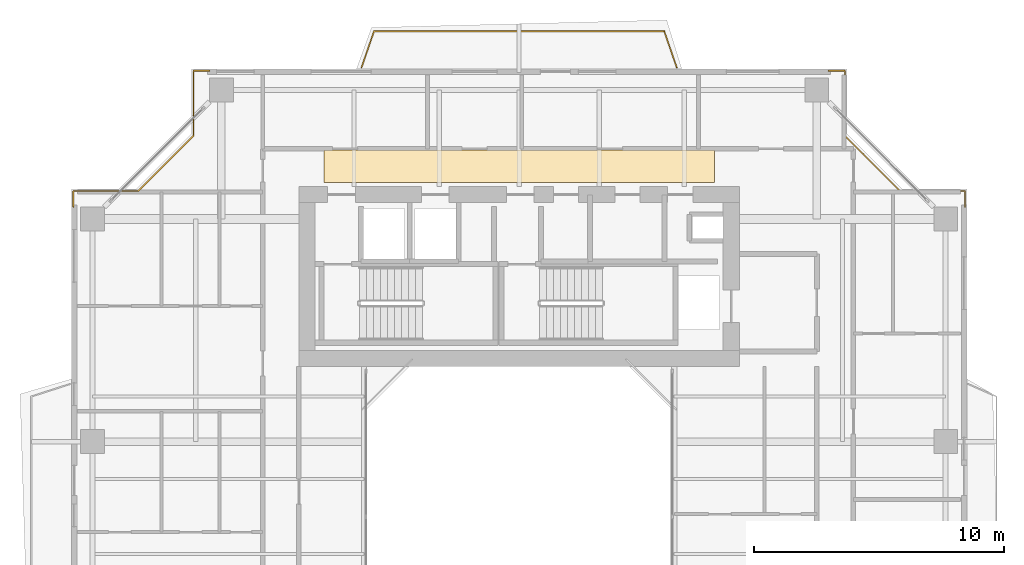
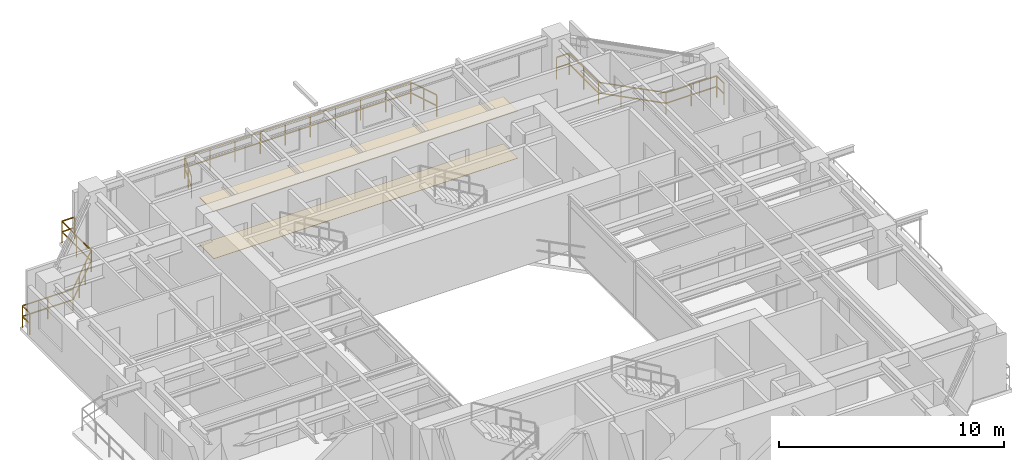
# One storey, part 18 of 18: 3 railings, 2 coverings.
"""IFC4 building model written with IfcOpenShell, lengths in metres."""

from ifc_helpers import new_model, si_unit, direction, frame, origin, origin_2d, place, context, subcontext, project, spatial, polyline, rectangle, outline, extrude, material, layer, layer_set, type_object, element, save


model = new_model("IFC4")

# Units and contexts
model_context = context("Model", 3, precision=1e-05, world=origin(), true_north=direction((0.0, 1.0)))
body_context = subcontext(model_context, "Body", "Model", "MODEL_VIEW")
ifc_project = project(units=[si_unit("LENGTHUNIT", "METRE"), si_unit("AREAUNIT", "SQUARE_METRE"), si_unit("VOLUMEUNIT", "CUBIC_METRE"), si_unit("PLANEANGLEUNIT", "RADIAN"), si_unit("MASSUNIT", "GRAM", prefix="KILO"), si_unit("THERMODYNAMICTEMPERATUREUNIT", "KELVIN"), si_unit("POWERUNIT", "WATT")], contexts=[model_context])

# Site, building, storey
site_placement = place(None, origin())
site = spatial("IfcSite", under=ifc_project, at=site_placement, CompositionType="ELEMENT")
building_placement = place(site_placement, origin())
building = spatial("IfcBuilding", under=site, at=building_placement, Name="Qiaomeng Ring Towers", CompositionType="ELEMENT")
storey_placement = place(building_placement, frame((0.0, 0.0, 147.0)))
storey = spatial("IfcBuildingStorey", under=building, at=storey_placement, Name="L42", CompositionType="ELEMENT", Elevation=147.0)

# Coverings
ifc_material_1 = material(Name="Mineral fibre acoustic ceiling tile", Category="gypsum")
ifc_layer_1 = layer(ifc_material_1, 0.02490234375, Name="Mineral fibre acoustic ceiling tile")
ifc_layer_set_1 = layer_set([ifc_layer_1], Name="Mineral fibre acoustic ceiling tile")
covering_type_1 = type_object("IfcCoveringType", Name="ARC-COV-CEIL1", PredefinedType="CEILING", material=ifc_layer_set_1)
covering_1_placement = place(storey_placement, frame((0.0, 0.0, 2.550048828125)))
element("IfcCovering", 1, at=covering_1_placement, inside=storey, type_object=covering_type_1, Name="L42 Corridor Acoustic Ceiling", PredefinedType="CEILING", context=body_context, shape_type="SweptSolid", body=[
    extrude(outline(polyline([(11.199951171875, 36.35009765625), (11.199951171875, 37.64990234375), (26.800048828125, 37.64990234375), (26.800048828125, 36.35009765625), (11.199951171875, 36.35009765625)])), origin(), (0.0, 0.0, 1.0), 0.02490234375),
])
ifc_material_2 = material(Name="Vitrified porcelain floor tile", Category="ceramic")
ifc_layer_2 = layer(ifc_material_2, 0.02001953125, Name="Vitrified porcelain floor tile")
ifc_layer_set_2 = layer_set([ifc_layer_2], Name="Vitrified porcelain floor tile")
covering_type_2 = type_object("IfcCoveringType", Name="ARC-COV-FLR1", PredefinedType="FLOORING", material=ifc_layer_set_2)
covering_2_placement = place(storey_placement, origin())
element("IfcCovering", 2, at=covering_2_placement, inside=storey, type_object=covering_type_2, Name="L42 Corridor Stone Flooring", PredefinedType="FLOORING", context=body_context, shape_type="SweptSolid", body=[
    extrude(outline(polyline([(11.199951171875, 36.35009765625), (11.199951171875, 37.64990234375), (26.800048828125, 37.64990234375), (26.800048828125, 36.35009765625), (11.199951171875, 36.35009765625)])), origin(), (0.0, 0.0, 1.0), 0.02001953125),
])

# Railings
ifc_material_3 = material(Name="Low-E pale-green laminated safety glass", Category="glass")
railing_type = type_object("IfcRailingType", Name="ARC-RL-BAL1", PredefinedType="BALUSTRADE", material=ifc_material_3)
railing_1_placement = place(storey_placement, frame((36.820068359375, 35.3701171875, 0.0)))
element("IfcRailing", 3, at=railing_1_placement, inside=storey, type_object=railing_type, Name="L42 Balustrade ARC-BAL-NOTCH1-L42-NE", PredefinedType="BALUSTRADE", context=body_context, shape_type="SweptSolid", body=[
    extrude(rectangle(XDim=0.048095703125, YDim=0.048095703125, at=origin_2d()), frame((0.0, 0.0, 1.17578125), z_axis=(0.0, 1.0, 0.0), x_axis=(-1.0, 0.0, 0.0)), (0.0, 0.0, 1.0), 0.64990234375),
    extrude(rectangle(XDim=0.048095703125, YDim=0.048095703125, at=origin_2d()), frame((0.0, 0.0, 0.60009765625), z_axis=(0.0, 1.0, 0.0), x_axis=(-1.0, 0.0, 0.0)), (0.0, 0.0, 1.0), 0.64990234375),
    extrude(rectangle(XDim=0.048095703125, YDim=0.048095703125, at=origin_2d()), frame((0.0, 0.64990234375, 1.17578125), z_axis=(-1.0, 0.0, 0.0), x_axis=(0.0, -1.0, 0.0)), (0.0, 0.0, 1.0), 2.60009765625),
    extrude(rectangle(XDim=0.048095703125, YDim=0.048095703125, at=origin_2d()), frame((0.0, 0.64990234375, 0.60009765625), z_axis=(-1.0, 0.0, 0.0), x_axis=(0.0, -1.0, 0.0)), (0.0, 0.0, 1.0), 2.60009765625),
    extrude(rectangle(XDim=0.048095703125, YDim=0.048095703125, at=origin_2d()), frame((-2.60009765625, 0.64990234375, 1.17578125), z_axis=(-0.707106781187, 0.707106781187, 0.0), x_axis=(-0.707106781187, -0.707106781187, 0.0)), (0.0, 0.0, 1.0), 3.111083984375),
    extrude(rectangle(XDim=0.048095703125, YDim=0.048095703125, at=origin_2d()), frame((-2.60009765625, 0.64990234375, 0.60009765625), z_axis=(-0.707106781187, 0.707106781187, 0.0), x_axis=(-0.707106781187, -0.707106781187, 0.0)), (0.0, 0.0, 1.0), 3.111083984375),
    extrude(rectangle(XDim=0.048095703125, YDim=0.048095703125, at=origin_2d()), frame((-4.800048828125, 2.849853515625, 1.17578125), z_axis=(0.0, 1.0, 0.0), x_axis=(-1.0, 0.0, 0.0)), (0.0, 0.0, 1.0), 2.60009765625),
    extrude(rectangle(XDim=0.048095703125, YDim=0.048095703125, at=origin_2d()), frame((-4.800048828125, 2.849853515625, 0.60009765625), z_axis=(0.0, 1.0, 0.0), x_axis=(-1.0, 0.0, 0.0)), (0.0, 0.0, 1.0), 2.60009765625),
    extrude(rectangle(XDim=0.048095703125, YDim=0.048095703125, at=origin_2d()), frame((-4.800048828125, 5.449951171875, 1.17578125), z_axis=(-1.0, 0.0, 0.0), x_axis=(0.0, -1.0, 0.0)), (0.0, 0.0, 1.0), 0.64990234375),
    extrude(rectangle(XDim=0.048095703125, YDim=0.048095703125, at=origin_2d()), frame((-4.800048828125, 5.449951171875, 0.60009765625), z_axis=(-1.0, 0.0, 0.0), x_axis=(0.0, -1.0, 0.0)), (0.0, 0.0, 1.0), 0.64990234375),
    extrude(rectangle(XDim=0.0419921875, YDim=0.0419921875, at=origin_2d()), origin(), (0.0, 0.0, 1.0), 1.15185546875),
    extrude(rectangle(XDim=0.0419921875, YDim=0.0419921875, at=origin_2d()), frame((0.0, 0.64990234375, 0.0)), (0.0, 0.0, 1.0), 1.15185546875),
    extrude(rectangle(XDim=0.0419921875, YDim=0.0419921875, at=origin_2d()), frame((-1.300048828125, 0.64990234375, 0.0)), (0.0, 0.0, 1.0), 1.15185546875),
    extrude(rectangle(XDim=0.0419921875, YDim=0.0419921875, at=origin_2d()), frame((-2.60009765625, 0.64990234375, 0.0)), (0.0, 0.0, 1.0), 1.15185546875),
    extrude(rectangle(XDim=0.0419921875, YDim=0.0419921875, at=origin_2d()), frame((-3.33349609375, 1.38330078125, 0.0)), (0.0, 0.0, 1.0), 1.15185546875),
    extrude(rectangle(XDim=0.0419921875, YDim=0.0419921875, at=origin_2d()), frame((-4.066650390625, 2.116455078125, 0.0)), (0.0, 0.0, 1.0), 1.15185546875),
    extrude(rectangle(XDim=0.0419921875, YDim=0.0419921875, at=origin_2d()), frame((-4.800048828125, 2.849853515625, 0.0)), (0.0, 0.0, 1.0), 1.15185546875),
    extrude(rectangle(XDim=0.0419921875, YDim=0.0419921875, at=origin_2d()), frame((-4.800048828125, 4.14990234375, 0.0)), (0.0, 0.0, 1.0), 1.15185546875),
    extrude(rectangle(XDim=0.0419921875, YDim=0.0419921875, at=origin_2d()), frame((-4.800048828125, 5.449951171875, 0.0)), (0.0, 0.0, 1.0), 1.15185546875),
    extrude(rectangle(XDim=0.0419921875, YDim=0.0419921875, at=origin_2d()), frame((-5.449951171875, 5.449951171875, 0.0)), (0.0, 0.0, 1.0), 1.15185546875),
])
railing_2_placement = place(storey_placement, frame((6.6298828125, 40.820068359375, 0.0)))
element("IfcRailing", 4, at=railing_2_placement, inside=storey, type_object=railing_type, Name="L42 Balustrade ARC-BAL-NOTCH1-L42-NW", PredefinedType="BALUSTRADE", context=body_context, shape_type="SweptSolid", body=[
    extrude(rectangle(XDim=0.048095703125, YDim=0.048095703125, at=origin_2d()), frame((0.0, 0.0, 1.17578125), z_axis=(-1.0, 0.0, 0.0), x_axis=(0.0, -1.0, 0.0)), (0.0, 0.0, 1.0), 0.64990234375),
    extrude(rectangle(XDim=0.048095703125, YDim=0.048095703125, at=origin_2d()), frame((0.0, 0.0, 0.60009765625), z_axis=(-1.0, 0.0, 0.0), x_axis=(0.0, -1.0, 0.0)), (0.0, 0.0, 1.0), 0.64990234375),
    extrude(rectangle(XDim=0.048095703125, YDim=0.048095703125, at=origin_2d()), frame((-0.64990234375, 0.0, 1.17578125), z_axis=(0.0, -1.0, 0.0), x_axis=(1.0, 0.0, 0.0)), (0.0, 0.0, 1.0), 2.60009765625),
    extrude(rectangle(XDim=0.048095703125, YDim=0.048095703125, at=origin_2d()), frame((-0.64990234375, 0.0, 0.60009765625), z_axis=(0.0, -1.0, 0.0), x_axis=(1.0, 0.0, 0.0)), (0.0, 0.0, 1.0), 2.60009765625),
    extrude(rectangle(XDim=0.048095703125, YDim=0.048095703125, at=origin_2d()), frame((-0.64990234375, -2.60009765625, 1.17578125), z_axis=(-0.707106781187, -0.707106781187, 0.0), x_axis=(0.707106781187, -0.707106781187, 0.0)), (0.0, 0.0, 1.0), 3.111083984375),
    extrude(rectangle(XDim=0.048095703125, YDim=0.048095703125, at=origin_2d()), frame((-0.64990234375, -2.60009765625, 0.60009765625), z_axis=(-0.707106781187, -0.707106781187, 0.0), x_axis=(0.707106781187, -0.707106781187, 0.0)), (0.0, 0.0, 1.0), 3.111083984375),
    extrude(rectangle(XDim=0.048095703125, YDim=0.048095703125, at=origin_2d()), frame((-2.849853515625, -4.800048828125, 1.17578125), z_axis=(-1.0, 0.0, 0.0), x_axis=(0.0, -1.0, 0.0)), (0.0, 0.0, 1.0), 2.60009765625),
    extrude(rectangle(XDim=0.048095703125, YDim=0.048095703125, at=origin_2d()), frame((-2.849853515625, -4.800048828125, 0.60009765625), z_axis=(-1.0, 0.0, 0.0), x_axis=(0.0, -1.0, 0.0)), (0.0, 0.0, 1.0), 2.60009765625),
    extrude(rectangle(XDim=0.048095703125, YDim=0.048095703125, at=origin_2d()), frame((-5.449951171875, -4.800048828125, 1.17578125), z_axis=(0.0, -1.0, 0.0), x_axis=(1.0, 0.0, 0.0)), (0.0, 0.0, 1.0), 0.64990234375),
    extrude(rectangle(XDim=0.048095703125, YDim=0.048095703125, at=origin_2d()), frame((-5.449951171875, -4.800048828125, 0.60009765625), z_axis=(0.0, -1.0, 0.0), x_axis=(1.0, 0.0, 0.0)), (0.0, 0.0, 1.0), 0.64990234375),
    extrude(rectangle(XDim=0.0419921875, YDim=0.0419921875, at=origin_2d()), origin(), (0.0, 0.0, 1.0), 1.15185546875),
    extrude(rectangle(XDim=0.0419921875, YDim=0.0419921875, at=origin_2d()), frame((-0.64990234375, 0.0, 0.0)), (0.0, 0.0, 1.0), 1.15185546875),
    extrude(rectangle(XDim=0.0419921875, YDim=0.0419921875, at=origin_2d()), frame((-0.64990234375, -1.300048828125, 0.0)), (0.0, 0.0, 1.0), 1.15185546875),
    extrude(rectangle(XDim=0.0419921875, YDim=0.0419921875, at=origin_2d()), frame((-0.64990234375, -2.60009765625, 0.0)), (0.0, 0.0, 1.0), 1.15185546875),
    extrude(rectangle(XDim=0.0419921875, YDim=0.0419921875, at=origin_2d()), frame((-1.38330078125, -3.33349609375, 0.0)), (0.0, 0.0, 1.0), 1.15185546875),
    extrude(rectangle(XDim=0.0419921875, YDim=0.0419921875, at=origin_2d()), frame((-2.116455078125, -4.066650390625, 0.0)), (0.0, 0.0, 1.0), 1.15185546875),
    extrude(rectangle(XDim=0.0419921875, YDim=0.0419921875, at=origin_2d()), frame((-2.849853515625, -4.800048828125, 0.0)), (0.0, 0.0, 1.0), 1.15185546875),
    extrude(rectangle(XDim=0.0419921875, YDim=0.0419921875, at=origin_2d()), frame((-4.14990234375, -4.800048828125, 0.0)), (0.0, 0.0, 1.0), 1.15185546875),
    extrude(rectangle(XDim=0.0419921875, YDim=0.0419921875, at=origin_2d()), frame((-5.449951171875, -4.800048828125, 0.0)), (0.0, 0.0, 1.0), 1.15185546875),
    extrude(rectangle(XDim=0.0419921875, YDim=0.0419921875, at=origin_2d()), frame((-5.449951171875, -5.449951171875, 0.0)), (0.0, 0.0, 1.0), 1.15185546875),
])
railing_3_placement = place(storey_placement, frame((12.699951171875, 40.949951171875, 0.0)))
element("IfcRailing", 5, at=railing_3_placement, inside=storey, type_object=railing_type, Name="L42 Balustrade ARC-BAL-L42-T1-N", PredefinedType="BALUSTRADE", context=body_context, shape_type="SweptSolid", body=[
    extrude(rectangle(XDim=0.048095703125, YDim=0.048095703125, at=origin_2d()), frame((0.0, 0.0, 1.17578125), z_axis=(0.326000494605, 0.945369598368, 0.0), x_axis=(-0.945369598368, 0.326000494605, 0.0)), (0.0, 0.0, 1.0), 1.53369140625),
    extrude(rectangle(XDim=0.048095703125, YDim=0.048095703125, at=origin_2d()), frame((0.0, 0.0, 0.60009765625), z_axis=(0.326000494605, 0.945369598368, 0.0), x_axis=(-0.945369598368, 0.326000494605, 0.0)), (0.0, 0.0, 1.0), 1.53369140625),
    extrude(rectangle(XDim=0.048095703125, YDim=0.048095703125, at=origin_2d()), frame((0.5, 1.449951171875, 1.17578125), z_axis=(1.0, 0.0, 0.0), x_axis=(0.0, 1.0, 0.0)), (0.0, 0.0, 1.0), 11.60009765625),
    extrude(rectangle(XDim=0.048095703125, YDim=0.048095703125, at=origin_2d()), frame((0.5, 1.449951171875, 0.60009765625), z_axis=(1.0, 0.0, 0.0), x_axis=(0.0, 1.0, 0.0)), (0.0, 0.0, 1.0), 11.60009765625),
    extrude(rectangle(XDim=0.048095703125, YDim=0.048095703125, at=origin_2d()), frame((12.10009765625, 1.449951171875, 1.17578125), z_axis=(0.326000494605, -0.945369598368, 0.0), x_axis=(0.945369598368, 0.326000494605, 0.0)), (0.0, 0.0, 1.0), 1.53369140625),
    extrude(rectangle(XDim=0.048095703125, YDim=0.048095703125, at=origin_2d()), frame((12.10009765625, 1.449951171875, 0.60009765625), z_axis=(0.326000494605, -0.945369598368, 0.0), x_axis=(0.945369598368, 0.326000494605, 0.0)), (0.0, 0.0, 1.0), 1.53369140625),
    extrude(rectangle(XDim=0.0419921875, YDim=0.0419921875, at=origin_2d()), origin(), (0.0, 0.0, 1.0), 1.15185546875),
    extrude(rectangle(XDim=0.0419921875, YDim=0.0419921875, at=origin_2d()), frame((0.25, 0.72509765625, 0.0)), (0.0, 0.0, 1.0), 1.15185546875),
    extrude(rectangle(XDim=0.0419921875, YDim=0.0419921875, at=origin_2d()), frame((0.5, 1.449951171875, 0.0)), (0.0, 0.0, 1.0), 1.15185546875),
    extrude(rectangle(XDim=0.0419921875, YDim=0.0419921875, at=origin_2d()), frame((1.788818359375, 1.449951171875, 0.0)), (0.0, 0.0, 1.0), 1.15185546875),
    extrude(rectangle(XDim=0.0419921875, YDim=0.0419921875, at=origin_2d()), frame((3.077880859375, 1.449951171875, 0.0)), (0.0, 0.0, 1.0), 1.15185546875),
    extrude(rectangle(XDim=0.0419921875, YDim=0.0419921875, at=origin_2d()), frame((4.36669921875, 1.449951171875, 0.0)), (0.0, 0.0, 1.0), 1.15185546875),
    extrude(rectangle(XDim=0.0419921875, YDim=0.0419921875, at=origin_2d()), frame((5.655517578125, 1.449951171875, 0.0)), (0.0, 0.0, 1.0), 1.15185546875),
    extrude(rectangle(XDim=0.0419921875, YDim=0.0419921875, at=origin_2d()), frame((6.944580078125, 1.449951171875, 0.0)), (0.0, 0.0, 1.0), 1.15185546875),
    extrude(rectangle(XDim=0.0419921875, YDim=0.0419921875, at=origin_2d()), frame((8.2333984375, 1.449951171875, 0.0)), (0.0, 0.0, 1.0), 1.15185546875),
    extrude(rectangle(XDim=0.0419921875, YDim=0.0419921875, at=origin_2d()), frame((9.522216796875, 1.449951171875, 0.0)), (0.0, 0.0, 1.0), 1.15185546875),
    extrude(rectangle(XDim=0.0419921875, YDim=0.0419921875, at=origin_2d()), frame((10.811279296875, 1.449951171875, 0.0)), (0.0, 0.0, 1.0), 1.15185546875),
    extrude(rectangle(XDim=0.0419921875, YDim=0.0419921875, at=origin_2d()), frame((12.10009765625, 1.449951171875, 0.0)), (0.0, 0.0, 1.0), 1.15185546875),
    extrude(rectangle(XDim=0.0419921875, YDim=0.0419921875, at=origin_2d()), frame((12.35009765625, 0.72509765625, 0.0)), (0.0, 0.0, 1.0), 1.15185546875),
    extrude(rectangle(XDim=0.0419921875, YDim=0.0419921875, at=origin_2d()), frame((12.60009765625, 0.0, 0.0)), (0.0, 0.0, 1.0), 1.15185546875),
])

save(model, "model.ifc")
